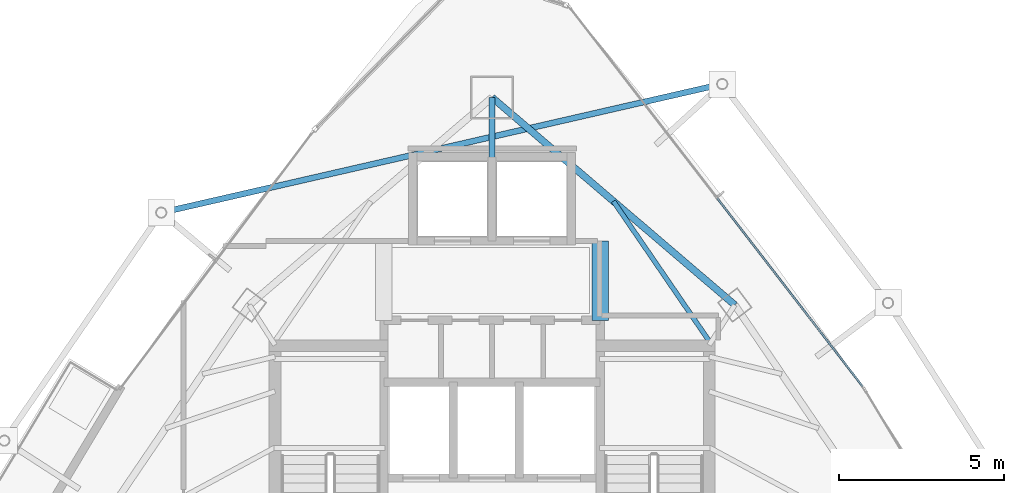
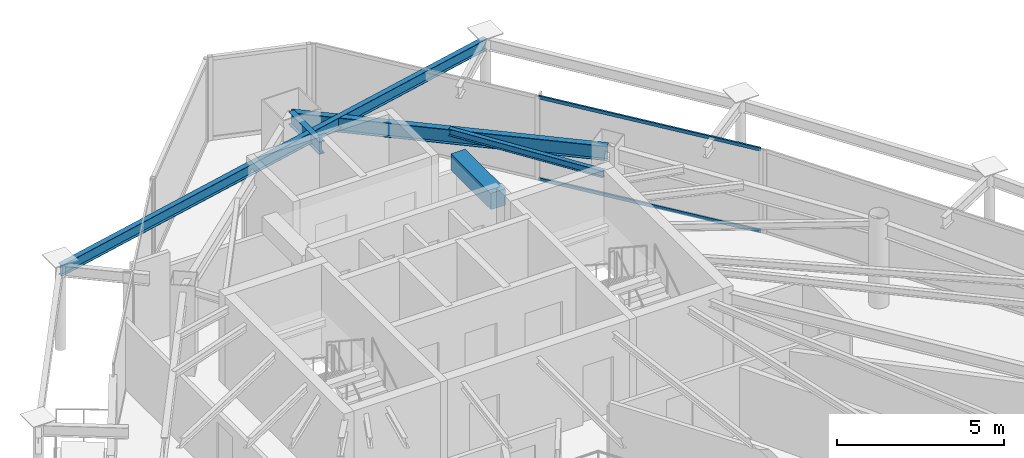
# One storey, part 21 of 29: 5 beams, 2 members, 1 element without a shape of its own.
"""IFC4 building model written with IfcOpenShell, lengths in metres."""

from ifc_helpers import new_model, si_unit, direction, frame, origin, origin_2d, place, context, subcontext, project, spatial, rectangle, hollow_rectangle, i_section, extrude, material, layer, layer_set, material_profile, profile_set, type_object, element, aggregate, save


model = new_model("IFC4")

# Units and contexts
model_context = context("Model", 3, precision=1e-05, world=origin(), true_north=direction((0.0, 1.0)))
body_context = subcontext(model_context, "Body", "Model", "MODEL_VIEW")
ifc_project = project(units=[si_unit("LENGTHUNIT", "METRE"), si_unit("AREAUNIT", "SQUARE_METRE"), si_unit("VOLUMEUNIT", "CUBIC_METRE"), si_unit("PLANEANGLEUNIT", "RADIAN"), si_unit("MASSUNIT", "GRAM", prefix="KILO")], contexts=[model_context])

# Site, building, storey
site_placement = place(None, origin())
site = spatial("IfcSite", under=ifc_project, at=site_placement, CompositionType="ELEMENT")
building_placement = place(site_placement, origin())
building = spatial("IfcBuilding", under=site, at=building_placement, Name="Orvanel Arch Residences", CompositionType="ELEMENT")
storey_placement = place(building_placement, frame((0.0, 0.0, 246.949951171875)))
storey = spatial("IfcBuildingStorey", under=building, at=storey_placement, Name="L70", CompositionType="ELEMENT", Elevation=246.949951171875)

# Beams
ifc_material_1 = material(Name="Structural steel AS/NZS 3679.1 Grade 300 (300 MPa)", Category="steel")
ifc_material_profile_1 = material_profile(ifc_material_1, i_section(OverallWidth=0.19091796875, OverallDepth=0.4599609375, WebThickness=0.010009765625, FlangeThickness=0.01611328125, at=origin_2d()), Name="460UB82.1")
ifc_profile_set_1 = profile_set([ifc_material_profile_1], Name="Structural steel AS/NZS 3679.1 Grade 300 (300 MPa)")
beam_type_1 = type_object("IfcBeamType", Name="BG-460UB", PredefinedType="BEAM", material=ifc_profile_set_1)
beam_1_placement = place(storey_placement, frame((33.0, 39.550048828125, 2.830078125), z_axis=(0.0, 1.0, 0.0), x_axis=(-1.0, 0.0, 0.0)))
element("IfcBeam", 1, at=beam_1_placement, inside=storey, type_object=beam_type_1, Name="L70 North Radial Girder", PredefinedType="BEAM", context=body_context, shape_type="SweptSolid", body=[
    extrude(i_section(OverallWidth=0.19091796875, OverallDepth=0.4599609375, WebThickness=0.010009765625, FlangeThickness=0.01611328125, at=origin_2d()), origin(), (0.0, 0.0, 1.0), 1.847900390625),
])
ifc_material_profile_2 = material_profile(ifc_material_1, i_section(OverallWidth=0.14599609375, OverallDepth=0.251953125, WebThickness=0.006103515625, FlangeThickness=0.008544921875, at=origin_2d()), Name="250UB31.4")
ifc_profile_set_2 = profile_set([ifc_material_profile_2], Name="Structural steel AS/NZS 3679.1 Grade 300 (300 MPa)")
beam_type_2 = type_object("IfcBeamType", Name="BJ-250UB", PredefinedType="JOIST", material=ifc_profile_set_2)
beam_2_placement = place(storey_placement, frame((39.574951171875, 34.02001953125, 2.93408203125), z_axis=(-0.564868085352, 0.825181220188, 0.0), x_axis=(-0.825181220188, -0.564868085352, 0.0)))
element("IfcBeam", 2, at=beam_2_placement, inside=storey, type_object=beam_type_2, Name="L70 NNE2 Wing Floor Joist", PredefinedType="JOIST", context=body_context, shape_type="SweptSolid", body=[
    extrude(i_section(OverallWidth=0.14599609375, OverallDepth=0.251953125, WebThickness=0.006103515625, FlangeThickness=0.008544921875, at=origin_2d()), origin(), (0.0, 0.0, 1.0), 5.132080078125),
])
ifc_material_2 = material(Name="Concrete S65 (65 MPa)", Category="concrete")
ifc_material_profile_3 = material_profile(ifc_material_2, rectangle(XDim=0.5, YDim=0.60009765625, at=origin_2d()), Name="RC500x600")
ifc_profile_set_3 = profile_set([ifc_material_profile_3], Name="Concrete S65 (65 MPa)")
beam_type_3 = type_object("IfcBeamType", Name="CB-500x600", PredefinedType="LINTEL", material=ifc_profile_set_3)
beam_3_placement = place(storey_placement, frame((36.27490234375, 34.64990234375, 2.760009765625), z_axis=(0.0, 1.0, 0.0), x_axis=(-1.0, 0.0, 0.0)))
element("IfcBeam", 3, at=beam_3_placement, inside=storey, type_object=beam_type_3, Name="L70 East Core Lobby Coupling Lintel Beam", PredefinedType="LINTEL", context=body_context, shape_type="SweptSolid", body=[
    extrude(rectangle(XDim=0.5, YDim=0.60009765625, at=origin_2d()), origin(), (0.0, 0.0, 1.0), 2.400146484375),
])
ifc_material_profile_4 = material_profile(ifc_material_1, i_section(OverallWidth=0.177978515625, OverallDepth=0.406005859375, WebThickness=0.0078125, FlangeThickness=0.0126953125, at=origin_2d()), Name="410UB59.7")
ifc_profile_set_4 = profile_set([ifc_material_profile_4], Name="Structural steel AS/NZS 3679.1 Grade 300 (300 MPa)")
beam_type_4 = type_object("IfcBeamType", Name="OB-410UB-EXT", PredefinedType="SPANDREL", material=ifc_profile_set_4)
beam_4_placement = place(storey_placement, frame((39.970947265625, 41.804931640625, 2.85693359375), z_axis=(-0.974719420946, -0.223432429227, 0.0), x_axis=(0.223432429227, -0.974719420946, 0.0)))
element("IfcBeam", 4, at=beam_4_placement, inside=storey, type_object=beam_type_4, Name="L70 Outer Perimeter Floor Ring Beam 12", PredefinedType="SPANDREL", context=body_context, shape_type="SweptSolid", body=[
    extrude(i_section(OverallWidth=0.177978515625, OverallDepth=0.406005859375, WebThickness=0.0078125, FlangeThickness=0.0126953125, at=origin_2d()), origin(), (0.0, 0.0, 1.0), 17.4326171875),
])
ifc_material_profile_5 = material_profile(ifc_material_1, i_section(OverallWidth=0.208984375, OverallDepth=0.532958984375, WebThickness=0.01025390625, FlangeThickness=0.015625, at=origin_2d()), Name="530UB92.4")
ifc_profile_set_5 = profile_set([ifc_material_profile_5], Name="Structural steel AS/NZS 3679.1 Grade 300 (300 MPa)")
beam_type_5 = type_object("IfcBeamType", Name="SP-530UB", PredefinedType="SPANDREL", material=ifc_profile_set_5)
beam_5_placement = place(storey_placement, frame((40.35205078125, 35.113037109375, 2.79296875), z_axis=(-0.760116518398, 0.649786794617, 0.0), x_axis=(-0.649786794617, -0.760116518398, 0.0)))
element("IfcBeam", 5, at=beam_5_placement, inside=storey, type_object=beam_type_5, Name="L70 Perimeter Spandrel Beam 09", PredefinedType="SPANDREL", context=body_context, shape_type="SweptSolid", body=[
    extrude(i_section(OverallWidth=0.208984375, OverallDepth=0.532958984375, WebThickness=0.01025390625, FlangeThickness=0.015625, at=origin_2d()), origin(), (0.0, 0.0, 1.0), 9.67236328125),
])

# Curtain wall, members
ifc_material_3 = material(Name="Bronze-anodised aluminium AA6063-T6", Category="aluminium")
ifc_layer = layer(ifc_material_3, 0.175048828125)
ifc_layer_set = layer_set([ifc_layer], Name="Bronze-anodised aluminium AA6063-T6")
curtain_wall_type = type_object("IfcCurtainWallType", Name="CW4-HI-SYS", PredefinedType="NOTDEFINED", material=ifc_layer_set)
curtain_wall_placement = place(storey_placement, origin())
curtain_wall = element("IfcCurtainWall", 6, at=curtain_wall_placement, inside=storey, type_object=curtain_wall_type, Name="L70 CW4-HI-SYS Unitised Curtain Wall", PredefinedType="NOTDEFINED")
ifc_material_profile_6 = material_profile(ifc_material_3, hollow_rectangle(XDim=0.06005859375, YDim=0.1201171875, WallThickness=0.00341796875, at=origin_2d()), Name="ALU120x60x3.5")
ifc_profile_set_6 = profile_set([ifc_material_profile_6], Name="Bronze-anodised aluminium AA6063-T6")
member_type = type_object("IfcMemberType", Name="TRN-120x60", PredefinedType="USERDEFINED", material=ifc_profile_set_6)
member_1_placement = place(storey_placement, frame((44.223388671875, 32.6435546875, 0.030029296875), z_axis=(-0.611207438105, 0.791470446451, 0.0), x_axis=(-0.791470446451, -0.611207438105, 0.0)))
member_1 = element("IfcMember", 7, at=member_1_placement, type_object=member_type, Name="CW-S4 transom 1.1", ObjectType="TRANSOM", PredefinedType="USERDEFINED", context=body_context, shape_type="SweptSolid", body=[
    extrude(hollow_rectangle(XDim=0.06005859375, YDim=0.1201171875, WallThickness=0.00341796875, at=origin_2d()), origin(), (0.0, 0.0, 1.0), 7.2080078125),
])
member_2_placement = place(storey_placement, frame((44.223388671875, 32.6435546875, 3.030029296875), z_axis=(-0.611207438105, 0.791470446451, 0.0), x_axis=(-0.791470446451, -0.611207438105, 0.0)))
member_2 = element("IfcMember", 8, at=member_2_placement, type_object=member_type, Name="CW-S4 transom 1.2", ObjectType="TRANSOM", PredefinedType="USERDEFINED", context=body_context, shape_type="SweptSolid", body=[
    extrude(hollow_rectangle(XDim=0.06005859375, YDim=0.1201171875, WallThickness=0.00341796875, at=origin_2d()), origin(), (0.0, 0.0, 1.0), 7.2080078125),
])
aggregate(curtain_wall, [member_1, member_2])

save(model, "model.ifc")
